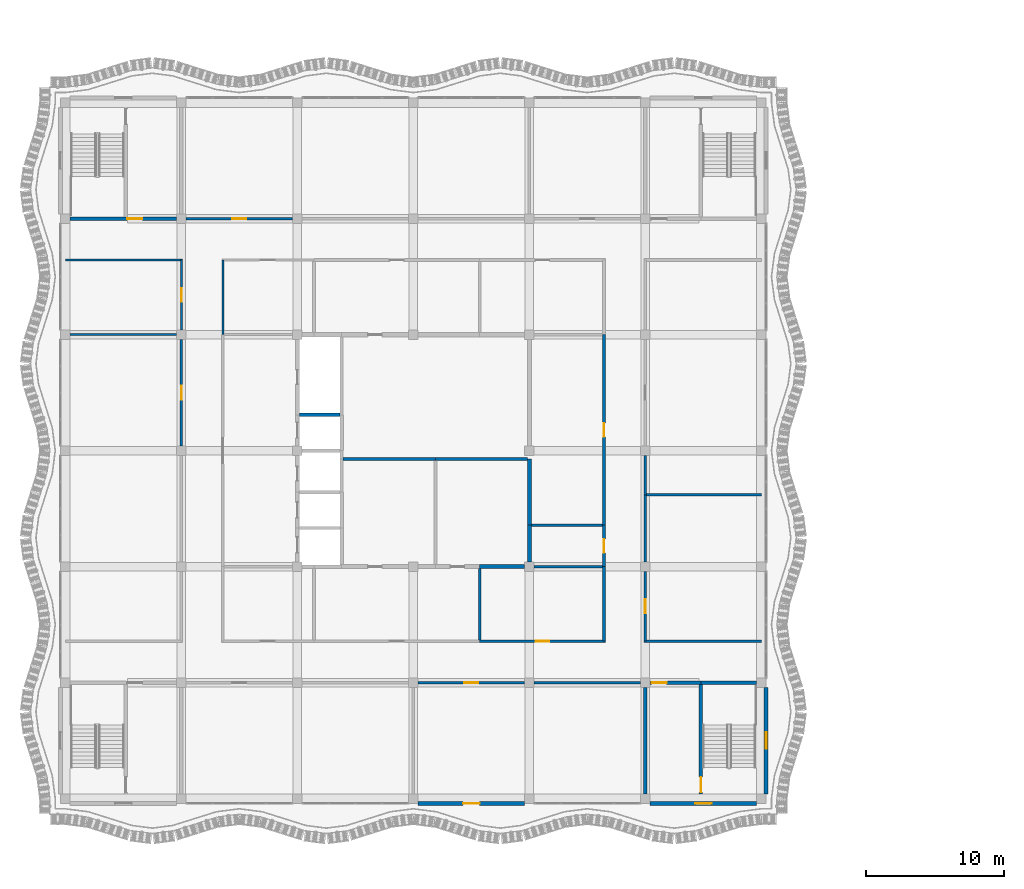
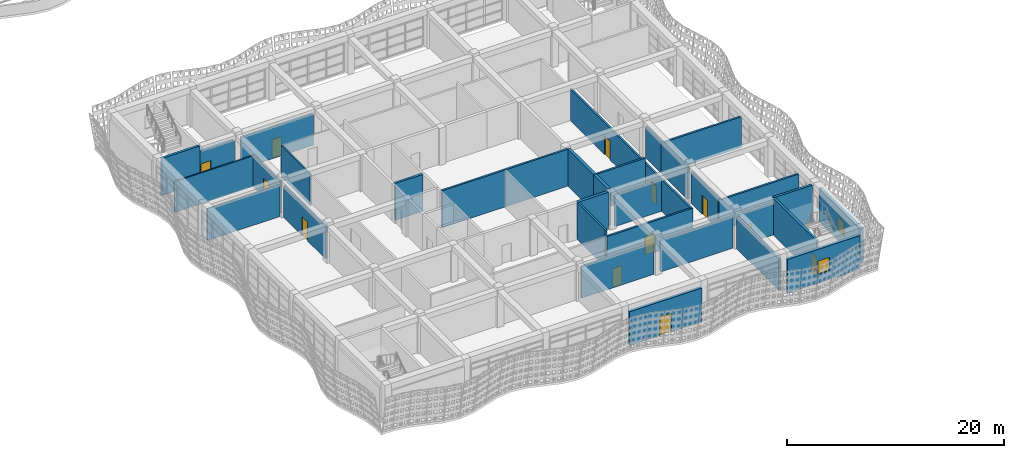
# One storey, part 111 of 163: 35 walls, 12 doors, 2 windows, 14 openings.
"""IFC4 building model written with IfcOpenShell, lengths in metres."""

from ifc_helpers import new_model, si_unit, direction, frame, frame_2d, origin, place, context, subcontext, project, spatial, rectangle, extrude, material, layer, layer_set, type_object, element, fill, save


model = new_model("IFC4")

# Units and contexts
model_context = context("Model", 3, precision=1e-05, world=origin(), true_north=direction((0.0, 1.0)))
body_context = subcontext(model_context, "Body", "Model", "MODEL_VIEW")
ifc_project = project(units=[si_unit("LENGTHUNIT", "METRE"), si_unit("AREAUNIT", "SQUARE_METRE"), si_unit("VOLUMEUNIT", "CUBIC_METRE"), si_unit("PLANEANGLEUNIT", "RADIAN"), si_unit("MASSUNIT", "GRAM", prefix="KILO")], contexts=[model_context])

# Site, building, storey
site_placement = place(None, origin())
site = spatial("IfcSite", under=ifc_project, at=site_placement, CompositionType="ELEMENT")
building_placement = place(site_placement, origin())
building = spatial("IfcBuilding", under=site, at=building_placement, Name="Rain Tree Exposition and Congress Centre", CompositionType="ELEMENT")
storey_placement = place(building_placement, frame((0.0, 0.0, 10.5)))
storey = spatial("IfcBuildingStorey", under=building, at=storey_placement, Name="L02", CompositionType="ELEMENT", Elevation=10.5)

# Wall, opening, door
ifc_material_1 = material(Name="Plasterboard on steel stud", Category="steel")
ifc_layer_1 = layer(ifc_material_1, 0.199951171875)
ifc_layer_set_1 = layer_set([ifc_layer_1], Name="Plasterboard on steel stud")
wall_type_1 = type_object("IfcWallType", Name="Wing acoustic partition 200", PredefinedType="PARTITIONING", material=ifc_layer_set_1)
wall_1_placement = place(storey_placement, frame((25.550048828125, 8.39990234375, 0.0), z_axis=(0.0, 0.0, 1.0), x_axis=(1.0, 0.0, 0.0)))
wall_1 = element("IfcWall", 1, at=wall_1_placement, inside=storey, type_object=wall_type_1, Name="wing/wall/L02/005", PredefinedType="PARTITIONING", context=body_context, shape_type="SweptSolid", body=[
    extrude(rectangle(XDim=7.699951171875, YDim=0.199951171875, at=frame_2d((3.85009765625, 0.0))), origin(), (0.0, 0.0, 1.0), 3.550048828125),
])
opening_1_placement = place(wall_1_placement, frame((3.35009765625, 0.0, 0.0)))
opening_1 = element("IfcOpeningElement", 2, at=opening_1_placement, cuts=wall_1, Name="Opening DW322", PredefinedType="OPENING", context=body_context, shape_type="SweptSolid", body=[
    extrude(rectangle(XDim=1.0, YDim=2.10009765625, at=frame_2d((0.5, 1.050048828125))), frame((0.0, 0.10009765625, 0.0), z_axis=(0.0, -1.0, 0.0), x_axis=(1.0, 0.0, 0.0)), (0.0, 0.0, 1.0), 0.199951171875),
])
ifc_material_2 = material(Name="Timber door leaf", Category="wood")
door_type_1 = type_object("IfcDoorType", Name="Wing door FD30S 1000x2100", OperationType="NOTDEFINED", PredefinedType="DOOR", material=ifc_material_2)
door_1_placement = place(opening_1_placement, origin())
door_1 = element("IfcDoor", 3, at=door_1_placement, inside=storey, type_object=door_type_1, Name="Door DW322", OperationType="SINGLE_SWING_LEFT", OverallHeight=2.10009765625, OverallWidth=1.0, PredefinedType="DOOR", context=body_context, shape_type="SweptSolid", body=[
    extrude(rectangle(XDim=1.0, YDim=2.10009765625, at=frame_2d((0.5, 1.050048828125))), frame((0.0, 0.02490234375, 0.0), z_axis=(0.0, -1.0, 0.0), x_axis=(1.0, 0.0, 0.0)), (0.0, 0.0, 1.0), 0.050048828125),
])
fill(opening_1, door_1)

# Wall
wall_2_placement = place(storey_placement, frame((33.949951171875, 8.39990234375, 0.0), z_axis=(0.0, 0.0, 1.0), x_axis=(1.0, 0.0, 0.0)))
element("IfcWall", 4, at=wall_2_placement, inside=storey, type_object=wall_type_1, Name="wing/wall/L02/006", PredefinedType="PARTITIONING", context=body_context, shape_type="SweptSolid", body=[
    extrude(rectangle(XDim=7.699951171875, YDim=0.199951171875, at=frame_2d((3.85009765625, 0.0))), origin(), (0.0, 0.0, 1.0), 3.550048828125),
])

# Wall, opening, door
wall_3_placement = place(storey_placement, frame((30.0, 11.39990234375, 0.0), z_axis=(0.0, 0.0, 1.0), x_axis=(1.0, 0.0, 0.0)))
wall_3 = element("IfcWall", 5, at=wall_3_placement, inside=storey, type_object=wall_type_1, Name="wing/wall/L02/012", PredefinedType="PARTITIONING", context=body_context, shape_type="SweptSolid", body=[
    extrude(rectangle(XDim=9.10009765625, YDim=0.199951171875, at=frame_2d((4.550048828125, 0.0))), origin(), (0.0, 0.0, 1.0), 3.550048828125),
])
opening_2_placement = place(wall_3_placement, frame((4.050048828125, 0.0, 0.0)))
opening_2 = element("IfcOpeningElement", 6, at=opening_2_placement, cuts=wall_3, Name="Opening DW330", PredefinedType="OPENING", context=body_context, shape_type="SweptSolid", body=[
    extrude(rectangle(XDim=1.0, YDim=2.10009765625, at=frame_2d((0.5, 1.050048828125))), frame((0.0, 0.10009765625, 0.0), z_axis=(0.0, -1.0, 0.0), x_axis=(1.0, 0.0, 0.0)), (0.0, 0.0, 1.0), 0.199951171875),
])
door_2_placement = place(opening_2_placement, origin())
door_2 = element("IfcDoor", 7, at=door_2_placement, inside=storey, type_object=door_type_1, Name="Door DW330", OperationType="SINGLE_SWING_LEFT", OverallHeight=2.10009765625, OverallWidth=1.0, PredefinedType="DOOR", context=body_context, shape_type="SweptSolid", body=[
    extrude(rectangle(XDim=1.0, YDim=2.10009765625, at=frame_2d((0.5, 1.050048828125))), frame((0.0, 0.02490234375, 0.0), z_axis=(0.0, -1.0, 0.0), x_axis=(1.0, 0.0, 0.0)), (0.0, 0.0, 1.0), 0.050048828125),
])
fill(opening_2, door_2)

# Walls
wall_4_placement = place(storey_placement, frame((41.89990234375, 11.39990234375, 0.0), z_axis=(0.0, 0.0, 1.0), x_axis=(1.0, 0.0, 0.0)))
element("IfcWall", 8, at=wall_4_placement, inside=storey, type_object=wall_type_1, Name="wing/wall/L02/013", PredefinedType="PARTITIONING", context=body_context, shape_type="SweptSolid", body=[
    extrude(rectangle(XDim=8.5, YDim=0.199951171875, at=frame_2d((4.25, 0.0))), origin(), (0.0, 0.0, 1.0), 3.449951171875),
])
wall_5_placement = place(storey_placement, frame((33.949951171875, 16.800048828125, 0.0), z_axis=(0.0, 0.0, 1.0), x_axis=(1.0, 0.0, 0.0)))
element("IfcWall", 9, at=wall_5_placement, inside=storey, type_object=wall_type_1, Name="wing/wall/L02/021", PredefinedType="PARTITIONING", context=body_context, shape_type="SweptSolid", body=[
    extrude(rectangle(XDim=4.949951171875, YDim=0.199951171875, at=frame_2d((2.47509765625, 0.0))), origin(), (0.0, 0.0, 1.0), 3.550048828125),
])
wall_6_placement = place(storey_placement, frame((42.10009765625, 22.0, 0.0), z_axis=(0.0, 0.0, 1.0), x_axis=(1.0, 0.0, 0.0)))
element("IfcWall", 10, at=wall_6_placement, inside=storey, type_object=wall_type_1, Name="wing/wall/L02/024", PredefinedType="PARTITIONING", context=body_context, shape_type="SweptSolid", body=[
    extrude(rectangle(XDim=8.2998046875, YDim=0.199951171875, at=frame_2d((4.14990234375, 0.0))), origin(), (0.0, 0.0, 1.0), 3.449951171875),
])

# Wall, opening, door
wall_7_placement = place(storey_placement, frame((8.75, 42.0, 0.0), z_axis=(0.0, 0.0, 1.0), x_axis=(1.0, 0.0, 0.0)))
wall_7 = element("IfcWall", 11, at=wall_7_placement, inside=storey, type_object=wall_type_1, Name="wing/wall/L02/045", PredefinedType="PARTITIONING", context=body_context, shape_type="SweptSolid", body=[
    extrude(rectangle(XDim=7.699951171875, YDim=0.199951171875, at=frame_2d((3.85009765625, 0.0))), origin(), (0.0, 0.0, 1.0), 3.550048828125),
])
opening_3_placement = place(wall_7_placement, frame((3.35009765625, 0.0, 0.0)))
opening_3 = element("IfcOpeningElement", 12, at=opening_3_placement, cuts=wall_7, Name="Opening DW327", PredefinedType="OPENING", context=body_context, shape_type="SweptSolid", body=[
    extrude(rectangle(XDim=1.0, YDim=2.10009765625, at=frame_2d((0.5, 1.050048828125))), frame((0.0, 0.10009765625, 0.0), z_axis=(0.0, -1.0, 0.0), x_axis=(1.0, 0.0, 0.0)), (0.0, 0.0, 1.0), 0.199951171875),
])
door_3_placement = place(opening_3_placement, origin())
door_3 = element("IfcDoor", 13, at=door_3_placement, inside=storey, type_object=door_type_1, Name="Door DW327", OperationType="SINGLE_SWING_LEFT", OverallHeight=2.10009765625, OverallWidth=1.0, PredefinedType="DOOR", context=body_context, shape_type="SweptSolid", body=[
    extrude(rectangle(XDim=1.0, YDim=2.10009765625, at=frame_2d((0.5, 1.050048828125))), frame((0.0, 0.02490234375, 0.0), z_axis=(0.0, -1.0, 0.0), x_axis=(1.0, 0.0, 0.0)), (0.0, 0.0, 1.0), 0.050048828125),
])
fill(opening_3, door_3)

wall_8_placement = place(storey_placement, frame((8.39990234375, 25.550048828125, 0.0), z_axis=(0.0, 0.0, 1.0), x_axis=(0.0, 1.0, 0.0)))
wall_8 = element("IfcWall", 14, at=wall_8_placement, inside=storey, type_object=wall_type_1, Name="wing/wall/L02/056", PredefinedType="PARTITIONING", context=body_context, shape_type="SweptSolid", body=[
    extrude(rectangle(XDim=7.699951171875, YDim=0.199951171875, at=frame_2d((3.85009765625, 0.0))), origin(), (0.0, 0.0, 1.0), 3.550048828125),
])
opening_4_placement = place(wall_8_placement, frame((3.35009765625, 0.0, 0.0)))
opening_4 = element("IfcOpeningElement", 15, at=opening_4_placement, cuts=wall_8, Name="Opening DW325", PredefinedType="OPENING", context=body_context, shape_type="SweptSolid", body=[
    extrude(rectangle(XDim=1.0, YDim=2.10009765625, at=frame_2d((0.5, 1.050048828125))), frame((0.0, 0.10009765625, 0.0), z_axis=(0.0, -1.0, 0.0), x_axis=(1.0, 0.0, 0.0)), (0.0, 0.0, 1.0), 0.199951171875),
])
door_4_placement = place(opening_4_placement, origin())
door_4 = element("IfcDoor", 16, at=door_4_placement, inside=storey, type_object=door_type_1, Name="Door DW325", OperationType="SINGLE_SWING_LEFT", OverallHeight=2.10009765625, OverallWidth=1.0, PredefinedType="DOOR", context=body_context, shape_type="SweptSolid", body=[
    extrude(rectangle(XDim=1.0, YDim=2.10009765625, at=frame_2d((0.5, 1.050048828125))), frame((0.0, 0.02490234375, 0.0), z_axis=(0.0, -1.0, 0.0), x_axis=(1.0, 0.0, 0.0)), (0.0, 0.0, 1.0), 0.050048828125),
])
fill(opening_4, door_4)

# Walls
wall_9_placement = place(storey_placement, frame((30.0, 11.5, 0.0), z_axis=(0.0, 0.0, 1.0), x_axis=(0.0, 1.0, 0.0)))
element("IfcWall", 17, at=wall_9_placement, inside=storey, type_object=wall_type_1, Name="wing/wall/L02/077", PredefinedType="PARTITIONING", context=body_context, shape_type="SweptSolid", body=[
    extrude(rectangle(XDim=5.14990234375, YDim=0.199951171875, at=frame_2d((2.574951171875, 0.0))), origin(), (0.0, 0.0, 1.0), 4.14990234375),
])
wall_10_placement = place(storey_placement, frame((39.0, 11.39990234375, 0.0), z_axis=(0.0, 0.0, 1.0), x_axis=(0.0, 1.0, 0.0)))
element("IfcWall", 18, at=wall_10_placement, inside=storey, type_object=wall_type_1, Name="wing/wall/L02/083", PredefinedType="PARTITIONING", context=body_context, shape_type="SweptSolid", body=[
    extrude(rectangle(XDim=5.400146484375, YDim=0.199951171875, at=frame_2d((2.7001953125, 0.0))), origin(), (0.0, 0.0, 1.0), 3.550048828125),
])

# Wall, opening, door
wall_11_placement = place(storey_placement, frame((39.0, 16.800048828125, 0.0), z_axis=(0.0, 0.0, 1.0), x_axis=(0.0, 1.0, 0.0)))
wall_11 = element("IfcWall", 19, at=wall_11_placement, inside=storey, type_object=wall_type_1, Name="wing/wall/L02/084", PredefinedType="PARTITIONING", context=body_context, shape_type="SweptSolid", body=[
    extrude(rectangle(XDim=3.0, YDim=0.199951171875, at=frame_2d((1.5, 0.0))), origin(), (0.0, 0.0, 1.0), 3.550048828125),
])
opening_5_placement = place(wall_11_placement, frame((1.0, 0.0, 0.0)))
opening_5 = element("IfcOpeningElement", 20, at=opening_5_placement, cuts=wall_11, Name="Opening DW320", PredefinedType="OPENING", context=body_context, shape_type="SweptSolid", body=[
    extrude(rectangle(XDim=1.0, YDim=2.10009765625, at=frame_2d((0.5, 1.050048828125))), frame((0.0, 0.10009765625, 0.0), z_axis=(0.0, -1.0, 0.0), x_axis=(1.0, 0.0, 0.0)), (0.0, 0.0, 1.0), 0.199951171875),
])
door_5_placement = place(opening_5_placement, origin())
door_5 = element("IfcDoor", 21, at=door_5_placement, inside=storey, type_object=door_type_1, Name="Door DW320", OperationType="SINGLE_SWING_LEFT", OverallHeight=2.10009765625, OverallWidth=1.0, PredefinedType="DOOR", context=body_context, shape_type="SweptSolid", body=[
    extrude(rectangle(XDim=1.0, YDim=2.10009765625, at=frame_2d((0.5, 1.050048828125))), frame((0.0, 0.02490234375, 0.0), z_axis=(0.0, -1.0, 0.0), x_axis=(1.0, 0.0, 0.0)), (0.0, 0.0, 1.0), 0.050048828125),
])
fill(opening_5, door_5)

wall_12_placement = place(storey_placement, frame((42.0, 11.39990234375, 0.0), z_axis=(0.0, 0.0, 1.0), x_axis=(0.0, 1.0, 0.0)))
wall_12 = element("IfcWall", 22, at=wall_12_placement, inside=storey, type_object=wall_type_1, Name="wing/wall/L02/088", PredefinedType="PARTITIONING", context=body_context, shape_type="SweptSolid", body=[
    extrude(rectangle(XDim=5.050048828125, YDim=0.199951171875, at=frame_2d((2.52490234375, 0.0))), origin(), (0.0, 0.0, 1.0), 3.550048828125),
])
opening_6_placement = place(wall_12_placement, frame((2.02490234375, 0.0, 0.0)))
opening_6 = element("IfcOpeningElement", 23, at=opening_6_placement, cuts=wall_12, Name="Opening DW323", PredefinedType="OPENING", context=body_context, shape_type="SweptSolid", body=[
    extrude(rectangle(XDim=1.0, YDim=2.10009765625, at=frame_2d((0.5, 1.050048828125))), frame((0.0, 0.10009765625, 0.0), z_axis=(0.0, -1.0, 0.0), x_axis=(1.0, 0.0, 0.0)), (0.0, 0.0, 1.0), 0.199951171875),
])
door_6_placement = place(opening_6_placement, origin())
door_6 = element("IfcDoor", 24, at=door_6_placement, inside=storey, type_object=door_type_1, Name="Door DW323", OperationType="SINGLE_SWING_LEFT", OverallHeight=2.10009765625, OverallWidth=1.0, PredefinedType="DOOR", context=body_context, shape_type="SweptSolid", body=[
    extrude(rectangle(XDim=1.0, YDim=2.10009765625, at=frame_2d((0.5, 1.050048828125))), frame((0.0, 0.02490234375, 0.0), z_axis=(0.0, -1.0, 0.0), x_axis=(1.0, 0.0, 0.0)), (0.0, 0.0, 1.0), 0.050048828125),
])
fill(opening_6, door_6)

# Walls
wall_13_placement = place(storey_placement, frame((42.0, 17.14990234375, 0.0), z_axis=(0.0, 0.0, 1.0), x_axis=(0.0, 1.0, 0.0)))
element("IfcWall", 25, at=wall_13_placement, inside=storey, type_object=wall_type_1, Name="wing/wall/L02/089", PredefinedType="PARTITIONING", context=body_context, shape_type="SweptSolid", body=[
    extrude(rectangle(XDim=4.85009765625, YDim=0.199951171875, at=frame_2d((2.425048828125, 0.0))), origin(), (0.0, 0.0, 1.0), 3.550048828125),
])
wall_14_placement = place(storey_placement, frame((42.0, 22.0, 0.0), z_axis=(0.0, 0.0, 1.0), x_axis=(0.0, 1.0, 0.0)))
element("IfcWall", 26, at=wall_14_placement, inside=storey, type_object=wall_type_1, Name="wing/wall/L02/090", PredefinedType="PARTITIONING", context=body_context, shape_type="SweptSolid", body=[
    extrude(rectangle(XDim=2.85009765625, YDim=0.199951171875, at=frame_2d((1.425048828125, 0.0))), origin(), (0.0, 0.0, 1.0), 3.550048828125),
])
ifc_material_3 = material(Name="Concrete C40/50", Category="concrete")
ifc_layer_2 = layer(ifc_material_3, 0.300048828125)
ifc_layer_set_2 = layer_set([ifc_layer_2], Name="Concrete C40/50")
wall_type_2 = type_object("IfcWallType", Name="Wing core wall 300", PredefinedType="SHEAR", material=ifc_layer_set_2)
wall_15_placement = place(storey_placement, frame((30.0, 16.800048828125, 0.0), z_axis=(0.0, 0.0, 1.0), x_axis=(1.0, 0.0, 0.0)))
element("IfcWall", 27, at=wall_15_placement, inside=storey, type_object=wall_type_2, Name="wing/wall/L02/020", PredefinedType="SHEAR", context=body_context, shape_type="SweptSolid", body=[
    extrude(rectangle(XDim=3.25, YDim=0.300048828125, at=frame_2d((1.625, 0.0))), origin(), (0.0, 0.0, 1.0), 4.14990234375),
])
wall_16_placement = place(storey_placement, frame((33.60009765625, 17.14990234375, 0.0), z_axis=(0.0, 0.0, 1.0), x_axis=(0.0, 1.0, 0.0)))
element("IfcWall", 28, at=wall_16_placement, inside=storey, type_object=wall_type_2, Name="wing/wall/L02/079", PredefinedType="SHEAR", context=body_context, shape_type="SweptSolid", body=[
    extrude(rectangle(XDim=2.650146484375, YDim=0.300048828125, at=frame_2d((1.3251953125, 0.0))), origin(), (0.0, 0.0, 1.0), 4.14990234375),
])
wall_17_placement = place(storey_placement, frame((33.60009765625, 19.800048828125, 0.0), z_axis=(0.0, 0.0, 1.0), x_axis=(0.0, 1.0, 0.0)))
element("IfcWall", 29, at=wall_17_placement, inside=storey, type_object=wall_type_2, Name="wing/wall/L02/080", PredefinedType="SHEAR", context=body_context, shape_type="SweptSolid", body=[
    extrude(rectangle(XDim=4.800048828125, YDim=0.300048828125, at=frame_2d((2.39990234375, 0.0))), origin(), (0.0, 0.0, 1.0), 4.14990234375),
])

# Wall, opening, door
ifc_material_4 = material(Name="Insulated cavity wall")
ifc_layer_3 = layer(ifc_material_4, 0.300048828125)
ifc_layer_set_3 = layer_set([ifc_layer_3], Name="Insulated cavity wall")
wall_type_3 = type_object("IfcWallType", Name="Wing external wall 300", PredefinedType="SOLIDWALL", material=ifc_layer_set_3)
wall_18_placement = place(storey_placement, frame((25.550048828125, -0.35009765625, 0.0), z_axis=(0.0, 0.0, 1.0), x_axis=(1.0, 0.0, 0.0)))
wall_18 = element("IfcWall", 30, at=wall_18_placement, inside=storey, type_object=wall_type_3, Name="wing/facade/L02/S3", PredefinedType="SOLIDWALL", context=body_context, shape_type="SweptSolid", body=[
    extrude(rectangle(XDim=7.699951171875, YDim=0.300048828125, at=frame_2d((3.85009765625, 0.0))), origin(), (0.0, 0.0, 1.0), 3.800048828125),
])
opening_7_placement = place(wall_18_placement, frame((3.25, 0.0, 0.0)))
opening_7 = element("IfcOpeningElement", 31, at=opening_7_placement, cuts=wall_18, Name="Opening DW351", PredefinedType="OPENING", context=body_context, shape_type="SweptSolid", body=[
    extrude(rectangle(XDim=1.199951171875, YDim=2.10009765625, at=frame_2d((0.60009765625, 1.050048828125))), frame((0.0, 0.14990234375, 0.0), z_axis=(0.0, -1.0, 0.0), x_axis=(1.0, 0.0, 0.0)), (0.0, 0.0, 1.0), 0.300048828125),
])
ifc_material_5 = material(Name="Steel door leaf", Category="steel")
door_type_2 = type_object("IfcDoorType", Name="Wing exit door 1200x2100", OperationType="NOTDEFINED", PredefinedType="DOOR", material=ifc_material_5)
door_7_placement = place(opening_7_placement, origin())
door_7 = element("IfcDoor", 32, at=door_7_placement, inside=storey, type_object=door_type_2, Name="Door DW351", OperationType="SINGLE_SWING_LEFT", OverallHeight=2.10009765625, OverallWidth=1.199951171875, PredefinedType="DOOR", context=body_context, shape_type="SweptSolid", body=[
    extrude(rectangle(XDim=1.199951171875, YDim=2.10009765625, at=frame_2d((0.60009765625, 1.050048828125))), frame((0.0, 0.02490234375, 0.0), z_axis=(0.0, -1.0, 0.0), x_axis=(1.0, 0.0, 0.0)), (0.0, 0.0, 1.0), 0.050048828125),
])
fill(opening_7, door_7)

# Wall, opening, window
wall_19_placement = place(storey_placement, frame((42.35009765625, -0.35009765625, 0.0), z_axis=(0.0, 0.0, 1.0), x_axis=(1.0, 0.0, 0.0)))
wall_19 = element("IfcWall", 33, at=wall_19_placement, inside=storey, type_object=wall_type_3, Name="wing/facade/L02/S5", PredefinedType="SOLIDWALL", context=body_context, shape_type="SweptSolid", body=[
    extrude(rectangle(XDim=7.699951171875, YDim=0.300048828125, at=frame_2d((3.85009765625, 0.0))), origin(), (0.0, 0.0, 1.0), 3.800048828125),
])
opening_8_placement = place(wall_19_placement, frame((3.25, 0.0, 1.0)))
opening_8 = element("IfcOpeningElement", 34, at=opening_8_placement, cuts=wall_19, Name="Opening WW302", PredefinedType="OPENING", context=body_context, shape_type="SweptSolid", body=[
    extrude(rectangle(XDim=1.199951171875, YDim=1.5, at=frame_2d((0.60009765625, 0.75))), frame((0.0, 0.14990234375, 0.0), z_axis=(0.0, -1.0, 0.0), x_axis=(1.0, 0.0, 0.0)), (0.0, 0.0, 1.0), 0.300048828125),
])
ifc_material_6 = material(Name="Aluminium framed glazing", Category="aluminium")
window_type = type_object("IfcWindowType", Name="Wing window 1200x1500", PartitioningType="SINGLE_PANEL", PredefinedType="WINDOW", material=ifc_material_6)
window_1_placement = place(opening_8_placement, origin())
window_1 = element("IfcWindow", 35, at=window_1_placement, inside=storey, type_object=window_type, Name="wing/window/L02/02", OverallHeight=1.5, OverallWidth=1.199951171875, PartitioningType="SINGLE_PANEL", PredefinedType="WINDOW", context=body_context, shape_type="SweptSolid", body=[
    extrude(rectangle(XDim=1.199951171875, YDim=1.5, at=frame_2d((0.60009765625, 0.75))), frame((0.0, 0.030029296875, 0.0), z_axis=(0.0, -1.0, 0.0), x_axis=(1.0, 0.0, 0.0)), (0.0, 0.0, 1.0), 0.06005859375),
])
fill(opening_8, window_1)

wall_20_placement = place(storey_placement, frame((50.75, 0.35009765625, 0.0), z_axis=(0.0, 0.0, 1.0), x_axis=(0.0, 1.0, 0.0)))
wall_20 = element("IfcWall", 36, at=wall_20_placement, inside=storey, type_object=wall_type_3, Name="wing/facade/L02/E0", PredefinedType="SOLIDWALL", context=body_context, shape_type="SweptSolid", body=[
    extrude(rectangle(XDim=7.699951171875, YDim=0.300048828125, at=frame_2d((3.85009765625, 0.0))), origin(), (0.0, 0.0, 1.0), 3.800048828125),
])
opening_9_placement = place(wall_20_placement, frame((3.25, 0.0, 1.0)))
opening_9 = element("IfcOpeningElement", 37, at=opening_9_placement, cuts=wall_20, Name="Opening WW307", PredefinedType="OPENING", context=body_context, shape_type="SweptSolid", body=[
    extrude(rectangle(XDim=1.199951171875, YDim=1.5, at=frame_2d((0.60009765625, 0.75))), frame((0.0, 0.14990234375, 0.0), z_axis=(0.0, -1.0, 0.0), x_axis=(1.0, 0.0, 0.0)), (0.0, 0.0, 1.0), 0.300048828125),
])
window_2_placement = place(opening_9_placement, origin())
window_2 = element("IfcWindow", 38, at=window_2_placement, inside=storey, type_object=window_type, Name="wing/window/L02/07", OverallHeight=1.5, OverallWidth=1.199951171875, PartitioningType="SINGLE_PANEL", PredefinedType="WINDOW", context=body_context, shape_type="SweptSolid", body=[
    extrude(rectangle(XDim=1.199951171875, YDim=1.5, at=frame_2d((0.60009765625, 0.75))), frame((0.0, 0.030029296875, 0.0), z_axis=(0.0, -1.0, 0.0), x_axis=(1.0, 0.0, 0.0)), (0.0, 0.0, 1.0), 0.06005859375),
])
fill(opening_9, window_2)

# Wall
ifc_material_7 = material(Name="Dense blockwork", Category="masonry")
ifc_layer_4 = layer(ifc_material_7, 0.199951171875)
ifc_layer_set_4 = layer_set([ifc_layer_4], Name="Dense blockwork")
wall_type_4 = type_object("IfcWallType", Name="Wing kitchen wall 200", PredefinedType="SOLIDWALL", material=ifc_layer_set_4)
wall_21_placement = place(storey_placement, frame((33.75, 19.800048828125, 0.0), z_axis=(0.0, 0.0, 1.0), x_axis=(1.0, 0.0, 0.0)))
element("IfcWall", 39, at=wall_21_placement, inside=storey, type_object=wall_type_4, Name="wing/wall/L02/023", PredefinedType="SOLIDWALL", context=body_context, shape_type="SweptSolid", body=[
    extrude(rectangle(XDim=5.14990234375, YDim=0.199951171875, at=frame_2d((2.574951171875, 0.0))), origin(), (0.0, 0.0, 1.0), 4.14990234375),
])

# Wall, opening, door
wall_22_placement = place(storey_placement, frame((39.0, 19.800048828125, 0.0), z_axis=(0.0, 0.0, 1.0), x_axis=(0.0, 1.0, 0.0)))
wall_22 = element("IfcWall", 40, at=wall_22_placement, inside=storey, type_object=wall_type_4, Name="wing/wall/L02/085", PredefinedType="SOLIDWALL", context=body_context, shape_type="SweptSolid", body=[
    extrude(rectangle(XDim=13.800048828125, YDim=0.199951171875, at=frame_2d((6.89990234375, 0.0))), origin(), (0.0, 0.0, 1.0), 3.550048828125),
])
opening_10_placement = place(wall_22_placement, frame((6.39990234375, 0.0, 0.0)))
opening_10 = element("IfcOpeningElement", 41, at=opening_10_placement, cuts=wall_22, Name="Opening DW333", PredefinedType="OPENING", context=body_context, shape_type="SweptSolid", body=[
    extrude(rectangle(XDim=1.0, YDim=2.10009765625, at=frame_2d((0.5, 1.050048828125))), frame((0.0, 0.10009765625, 0.0), z_axis=(0.0, -1.0, 0.0), x_axis=(1.0, 0.0, 0.0)), (0.0, 0.0, 1.0), 0.199951171875),
])
ifc_material_8 = material(Name="Timber door leaf", Category="wood")
door_type_3 = type_object("IfcDoorType", Name="Wing door FD60 1000x2100", OperationType="NOTDEFINED", PredefinedType="DOOR", material=ifc_material_8)
door_8_placement = place(opening_10_placement, origin())
door_8 = element("IfcDoor", 42, at=door_8_placement, inside=storey, type_object=door_type_3, Name="Door DW333", OperationType="SINGLE_SWING_RIGHT", OverallHeight=2.10009765625, OverallWidth=1.0, PredefinedType="DOOR", context=body_context, shape_type="SweptSolid", body=[
    extrude(rectangle(XDim=1.0, YDim=2.10009765625, at=frame_2d((0.5, 1.050048828125))), frame((0.0, 0.02490234375, 0.0), z_axis=(0.0, -1.0, 0.0), x_axis=(1.0, 0.0, 0.0)), (0.0, 0.0, 1.0), 0.050048828125),
])
fill(opening_10, door_8)

# Walls
ifc_material_9 = material(Name="Concrete C40/50", Category="concrete")
ifc_layer_5 = layer(ifc_material_9, 0.25)
ifc_layer_set_5 = layer_set([ifc_layer_5], Name="Concrete C40/50")
wall_type_5 = type_object("IfcWallType", Name="Wing lift shaft wall 250", PredefinedType="SHEAR", material=ifc_layer_set_5)
wall_23_placement = place(storey_placement, frame((16.949951171875, 27.800048828125, 0.0), z_axis=(0.0, 0.0, 1.0), x_axis=(1.0, 0.0, 0.0)))
element("IfcWall", 43, at=wall_23_placement, inside=storey, type_object=wall_type_5, Name="wing/wall/L02/029", PredefinedType="SHEAR", context=body_context, shape_type="SweptSolid", body=[
    extrude(rectangle(XDim=2.925048828125, YDim=0.25, at=frame_2d((1.46240234375, 0.0))), origin(), (0.0, 0.0, 1.0), 4.14990234375),
])
ifc_material_10 = material(Name="Dense blockwork", Category="masonry")
ifc_layer_6 = layer(ifc_material_10, 0.199951171875)
ifc_layer_set_6 = layer_set([ifc_layer_6], Name="Dense blockwork")
wall_type_6 = type_object("IfcWallType", Name="Wing plant room wall 200", PredefinedType="SOLIDWALL", material=ifc_layer_set_6)
wall_24_placement = place(storey_placement, frame((20.10009765625, 24.60009765625, 0.0), z_axis=(0.0, 0.0, 1.0), x_axis=(1.0, 0.0, 0.0)))
element("IfcWall", 44, at=wall_24_placement, inside=storey, type_object=wall_type_6, Name="wing/wall/L02/026", PredefinedType="SOLIDWALL", context=body_context, shape_type="SweptSolid", body=[
    extrude(rectangle(XDim=6.699951171875, YDim=0.199951171875, at=frame_2d((3.35009765625, 0.0))), origin(), (0.0, 0.0, 1.0), 4.14990234375),
])
wall_25_placement = place(storey_placement, frame((26.800048828125, 24.60009765625, 0.0), z_axis=(0.0, 0.0, 1.0), x_axis=(1.0, 0.0, 0.0)))
element("IfcWall", 45, at=wall_25_placement, inside=storey, type_object=wall_type_6, Name="wing/wall/L02/027", PredefinedType="SOLIDWALL", context=body_context, shape_type="SweptSolid", body=[
    extrude(rectangle(XDim=6.64990234375, YDim=0.199951171875, at=frame_2d((3.324951171875, 0.0))), origin(), (0.0, 0.0, 1.0), 4.14990234375),
])

# Wall, opening, door
ifc_material_11 = material(Name="Concrete C40/50", Category="concrete")
ifc_layer_7 = layer(ifc_material_11, 0.25)
ifc_layer_set_7 = layer_set([ifc_layer_7], Name="Concrete C40/50")
wall_type_7 = type_object("IfcWallType", Name="Wing stair wall 250", PredefinedType="SHEAR", material=ifc_layer_set_7)
wall_26_placement = place(storey_placement, frame((42.35009765625, 8.39990234375, 0.0), z_axis=(0.0, 0.0, 1.0), x_axis=(1.0, 0.0, 0.0)))
wall_26 = element("IfcWall", 46, at=wall_26_placement, inside=storey, type_object=wall_type_7, Name="wing/wall/L02/007", PredefinedType="SHEAR", context=body_context, shape_type="SweptSolid", body=[
    extrude(rectangle(XDim=3.6748046875, YDim=0.25, at=frame_2d((1.83740234375, 0.0))), origin(), (0.0, 0.0, 1.0), 3.550048828125),
])
opening_11_placement = place(wall_26_placement, frame((0.10009765625, 0.0, 0.0)))
opening_11 = element("IfcOpeningElement", 47, at=opening_11_placement, cuts=wall_26, Name="Opening DW304", PredefinedType="OPENING", context=body_context, shape_type="SweptSolid", body=[
    extrude(rectangle(XDim=1.10009765625, YDim=2.10009765625, at=frame_2d((0.550048828125, 1.050048828125))), frame((0.0, 0.125, 0.0), z_axis=(0.0, -1.0, 0.0), x_axis=(1.0, 0.0, 0.0)), (0.0, 0.0, 1.0), 0.25),
])
ifc_material_12 = material(Name="Timber door leaf", Category="wood")
door_type_4 = type_object("IfcDoorType", Name="Wing door FD60 1100x2100", OperationType="NOTDEFINED", PredefinedType="DOOR", material=ifc_material_12)
door_9_placement = place(opening_11_placement, origin())
door_9 = element("IfcDoor", 48, at=door_9_placement, inside=storey, type_object=door_type_4, Name="Door DW304", OperationType="SINGLE_SWING_LEFT", OverallHeight=2.10009765625, OverallWidth=1.10009765625, PredefinedType="DOOR", context=body_context, shape_type="SweptSolid", body=[
    extrude(rectangle(XDim=1.10009765625, YDim=2.10009765625, at=frame_2d((0.550048828125, 1.050048828125))), frame((0.0, 0.02490234375, 0.0), z_axis=(0.0, -1.0, 0.0), x_axis=(1.0, 0.0, 0.0)), (0.0, 0.0, 1.0), 0.050048828125),
])
fill(opening_11, door_9)

# Walls
wall_27_placement = place(storey_placement, frame((46.02490234375, 8.39990234375, 0.0), z_axis=(0.0, 0.0, 1.0), x_axis=(1.0, 0.0, 0.0)))
element("IfcWall", 49, at=wall_27_placement, inside=storey, type_object=wall_type_7, Name="wing/wall/L02/008", PredefinedType="SHEAR", context=body_context, shape_type="SweptSolid", body=[
    extrude(rectangle(XDim=4.025146484375, YDim=0.25, at=frame_2d((2.0126953125, 0.0))), origin(), (0.0, 0.0, 1.0), 4.14990234375),
])
wall_28_placement = place(storey_placement, frame((0.35009765625, 42.0, 0.0), z_axis=(0.0, 0.0, 1.0), x_axis=(1.0, 0.0, 0.0)))
element("IfcWall", 50, at=wall_28_placement, inside=storey, type_object=wall_type_7, Name="wing/wall/L02/043", PredefinedType="SHEAR", context=body_context, shape_type="SweptSolid", body=[
    extrude(rectangle(XDim=4.02490234375, YDim=0.25, at=frame_2d((2.012451171875, 0.0))), origin(), (0.0, 0.0, 1.0), 4.14990234375),
])

# Wall, opening, door
wall_29_placement = place(storey_placement, frame((4.375, 42.0, 0.0), z_axis=(0.0, 0.0, 1.0), x_axis=(1.0, 0.0, 0.0)))
wall_29 = element("IfcWall", 51, at=wall_29_placement, inside=storey, type_object=wall_type_7, Name="wing/wall/L02/044", PredefinedType="SHEAR", context=body_context, shape_type="SweptSolid", body=[
    extrude(rectangle(XDim=3.675048828125, YDim=0.25, at=frame_2d((1.83740234375, 0.0))), origin(), (0.0, 0.0, 1.0), 3.550048828125),
])
opening_12_placement = place(wall_29_placement, frame((0.10009765625, 0.0, 0.0)))
opening_12 = element("IfcOpeningElement", 52, at=opening_12_placement, cuts=wall_29, Name="Opening DW306", PredefinedType="OPENING", context=body_context, shape_type="SweptSolid", body=[
    extrude(rectangle(XDim=1.10009765625, YDim=2.10009765625, at=frame_2d((0.550048828125, 1.050048828125))), frame((0.0, 0.125, 0.0), z_axis=(0.0, -1.0, 0.0), x_axis=(1.0, 0.0, 0.0)), (0.0, 0.0, 1.0), 0.25),
])
door_10_placement = place(opening_12_placement, origin())
door_10 = element("IfcDoor", 53, at=door_10_placement, inside=storey, type_object=door_type_4, Name="Door DW306", OperationType="SINGLE_SWING_LEFT", OverallHeight=2.10009765625, OverallWidth=1.10009765625, PredefinedType="DOOR", context=body_context, shape_type="SweptSolid", body=[
    extrude(rectangle(XDim=1.10009765625, YDim=2.10009765625, at=frame_2d((0.550048828125, 1.050048828125))), frame((0.0, 0.02490234375, 0.0), z_axis=(0.0, -1.0, 0.0), x_axis=(1.0, 0.0, 0.0)), (0.0, 0.0, 1.0), 0.050048828125),
])
fill(opening_12, door_10)

# Wall
wall_30_placement = place(storey_placement, frame((42.0, 0.35009765625, 0.0), z_axis=(0.0, 0.0, 1.0), x_axis=(0.0, 1.0, 0.0)))
element("IfcWall", 54, at=wall_30_placement, inside=storey, type_object=wall_type_7, Name="wing/wall/L02/087", PredefinedType="SHEAR", context=body_context, shape_type="SweptSolid", body=[
    extrude(rectangle(XDim=7.699951171875, YDim=0.25, at=frame_2d((3.85009765625, 0.0))), origin(), (0.0, 0.0, 1.0), 3.550048828125),
])

# Wall, opening, door
wall_31_placement = place(storey_placement, frame((46.02490234375, 0.35009765625, 0.0), z_axis=(0.0, 0.0, 1.0), x_axis=(0.0, 1.0, 0.0)))
wall_31 = element("IfcWall", 55, at=wall_31_placement, inside=storey, type_object=wall_type_7, Name="wing/wall/L02/094", PredefinedType="SHEAR", context=body_context, shape_type="SweptSolid", body=[
    extrude(rectangle(XDim=7.9248046875, YDim=0.25, at=frame_2d((3.96240234375, 0.0))), origin(), (0.0, 0.0, 1.0), 4.14990234375),
])
opening_13_placement = place(wall_31_placement, frame((0.10009765625, 0.0, 0.0)))
opening_13 = element("IfcOpeningElement", 56, at=opening_13_placement, cuts=wall_31, Name="Opening DW303", PredefinedType="OPENING", context=body_context, shape_type="SweptSolid", body=[
    extrude(rectangle(XDim=1.10009765625, YDim=2.10009765625, at=frame_2d((0.550048828125, 1.050048828125))), frame((0.0, 0.125, 0.0), z_axis=(0.0, -1.0, 0.0), x_axis=(1.0, 0.0, 0.0)), (0.0, 0.0, 1.0), 0.25),
])
door_11_placement = place(opening_13_placement, origin())
door_11 = element("IfcDoor", 57, at=door_11_placement, inside=storey, type_object=door_type_4, Name="Door DW303", OperationType="SINGLE_SWING_LEFT", OverallHeight=2.10009765625, OverallWidth=1.10009765625, PredefinedType="DOOR", context=body_context, shape_type="SweptSolid", body=[
    extrude(rectangle(XDim=1.10009765625, YDim=2.10009765625, at=frame_2d((0.550048828125, 1.050048828125))), frame((0.0, 0.02490234375, 0.0), z_axis=(0.0, -1.0, 0.0), x_axis=(1.0, 0.0, 0.0)), (0.0, 0.0, 1.0), 0.050048828125),
])
fill(opening_13, door_11)

# Walls
ifc_material_13 = material(Name="Plasterboard on steel stud", Category="steel")
ifc_layer_8 = layer(ifc_material_13, 0.14990234375)
ifc_layer_set_8 = layer_set([ifc_layer_8], Name="Plasterboard on steel stud")
wall_type_8 = type_object("IfcWallType", Name="Wing store wall 150", PredefinedType="PARTITIONING", material=ifc_layer_set_8)
wall_32_placement = place(storey_placement, frame((0.35009765625, 33.60009765625, 0.0), z_axis=(0.0, 0.0, 1.0), x_axis=(1.0, 0.0, 0.0)))
element("IfcWall", 58, at=wall_32_placement, inside=storey, type_object=wall_type_8, Name="wing/wall/L02/030", PredefinedType="PARTITIONING", context=body_context, shape_type="SweptSolid", body=[
    extrude(rectangle(XDim=7.699951171875, YDim=0.14990234375, at=frame_2d((3.85009765625, 0.0))), origin(), (0.0, 0.0, 1.0), 3.550048828125),
])
wall_33_placement = place(storey_placement, frame((0.0, 39.0, 0.0), z_axis=(0.0, 0.0, 1.0), x_axis=(1.0, 0.0, 0.0)))
element("IfcWall", 59, at=wall_33_placement, inside=storey, type_object=wall_type_8, Name="wing/wall/L02/038", PredefinedType="PARTITIONING", context=body_context, shape_type="SweptSolid", body=[
    extrude(rectangle(XDim=8.47509765625, YDim=0.14990234375, at=frame_2d((4.237548828125, 0.0))), origin(), (0.0, 0.0, 1.0), 3.449951171875),
])

# Wall, opening, door
wall_34_placement = place(storey_placement, frame((8.39990234375, 33.949951171875, 0.0), z_axis=(0.0, 0.0, 1.0), x_axis=(0.0, 1.0, 0.0)))
wall_34 = element("IfcWall", 60, at=wall_34_placement, inside=storey, type_object=wall_type_8, Name="wing/wall/L02/057", PredefinedType="PARTITIONING", context=body_context, shape_type="SweptSolid", body=[
    extrude(rectangle(XDim=5.050048828125, YDim=0.14990234375, at=frame_2d((2.52490234375, 0.0))), origin(), (0.0, 0.0, 1.0), 3.550048828125),
])
opening_14_placement = place(wall_34_placement, frame((2.02490234375, 0.0, 0.0)))
opening_14 = element("IfcOpeningElement", 61, at=opening_14_placement, cuts=wall_34, Name="Opening DW326", PredefinedType="OPENING", context=body_context, shape_type="SweptSolid", body=[
    extrude(rectangle(XDim=1.0, YDim=2.10009765625, at=frame_2d((0.5, 1.050048828125))), frame((0.0, 0.074951171875, 0.0), z_axis=(0.0, -1.0, 0.0), x_axis=(1.0, 0.0, 0.0)), (0.0, 0.0, 1.0), 0.14990234375),
])
door_12_placement = place(opening_14_placement, origin())
door_12 = element("IfcDoor", 62, at=door_12_placement, inside=storey, type_object=door_type_3, Name="Door DW326", OperationType="SINGLE_SWING_LEFT", OverallHeight=2.10009765625, OverallWidth=1.0, PredefinedType="DOOR", context=body_context, shape_type="SweptSolid", body=[
    extrude(rectangle(XDim=1.0, YDim=2.10009765625, at=frame_2d((0.5, 1.050048828125))), frame((0.0, 0.02490234375, 0.0), z_axis=(0.0, -1.0, 0.0), x_axis=(1.0, 0.0, 0.0)), (0.0, 0.0, 1.0), 0.050048828125),
])
fill(opening_14, door_12)

# Wall
wall_35_placement = place(storey_placement, frame((11.39990234375, 33.60009765625, 0.0), z_axis=(0.0, 0.0, 1.0), x_axis=(0.0, 1.0, 0.0)))
element("IfcWall", 63, at=wall_35_placement, inside=storey, type_object=wall_type_8, Name="wing/wall/L02/061", PredefinedType="PARTITIONING", context=body_context, shape_type="SweptSolid", body=[
    extrude(rectangle(XDim=5.39990234375, YDim=0.14990234375, at=frame_2d((2.699951171875, 0.0))), origin(), (0.0, 0.0, 1.0), 3.550048828125),
])

save(model, "model.ifc")
